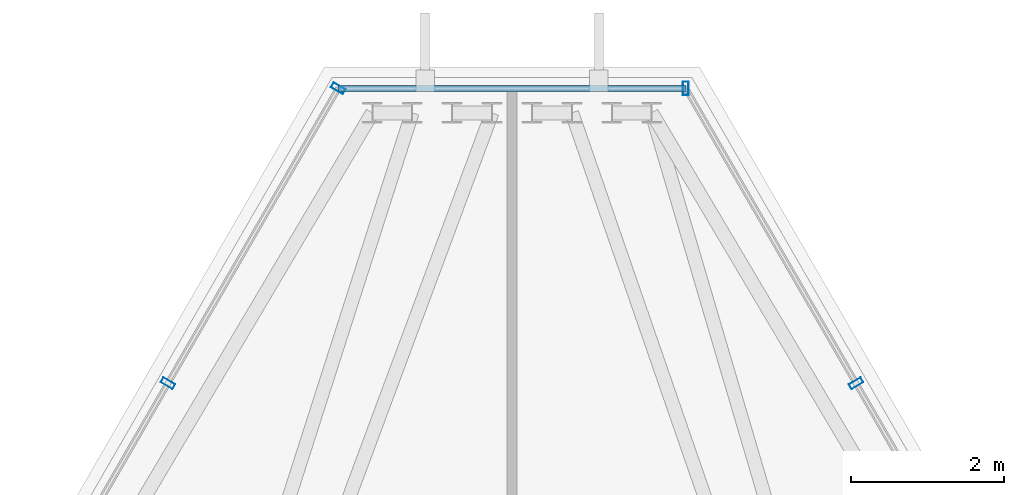
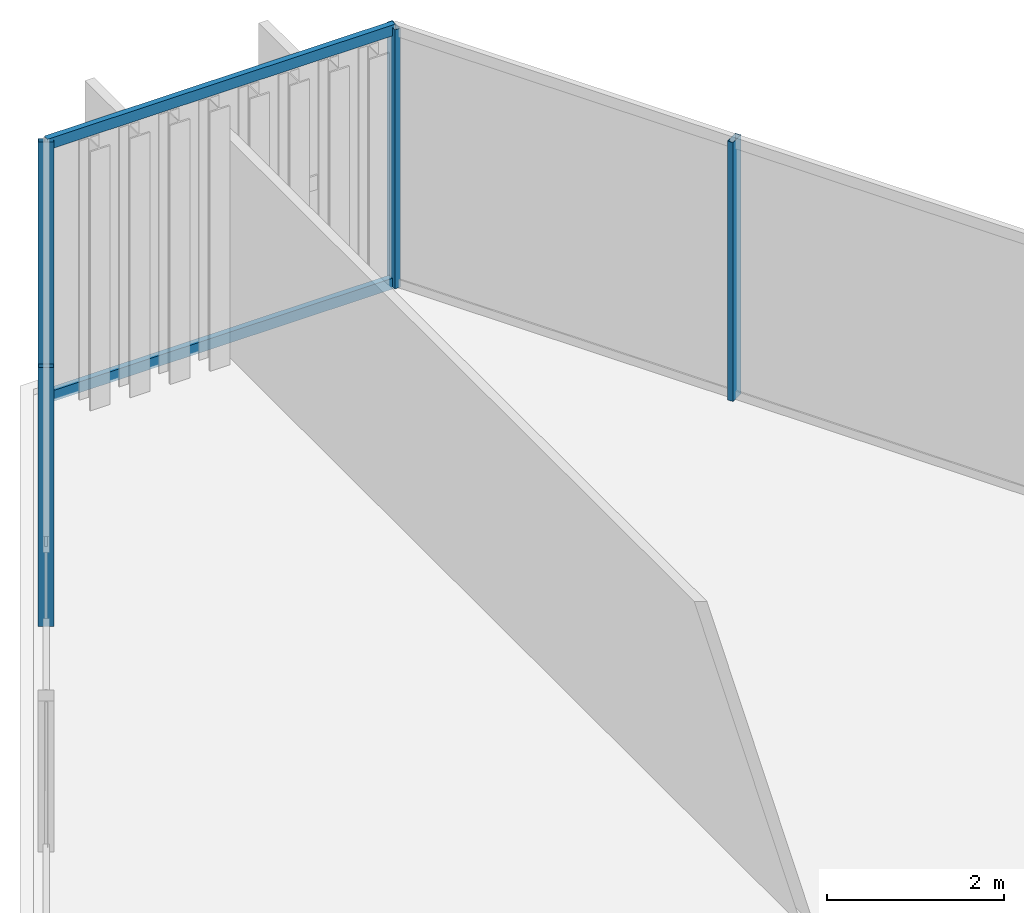
# One storey, part 25 of 32: 6 members, 3 elements without a shape of their own.
"""IFC4 building model written with IfcOpenShell, lengths in metres."""

from ifc_helpers import new_model, si_unit, direction, frame, origin, origin_2d, place, context, subcontext, project, spatial, hollow_rectangle, extrude, material, layer, layer_set, material_profile, profile_set, type_object, element, aggregate, save


model = new_model("IFC4")

# Units and contexts
model_context = context("Model", 3, precision=1e-05, world=origin(), true_north=direction((0.0, 1.0)))
body_context = subcontext(model_context, "Body", "Model", "MODEL_VIEW")
ifc_project = project(units=[si_unit("LENGTHUNIT", "METRE"), si_unit("AREAUNIT", "SQUARE_METRE"), si_unit("VOLUMEUNIT", "CUBIC_METRE"), si_unit("PLANEANGLEUNIT", "RADIAN"), si_unit("MASSUNIT", "GRAM", prefix="KILO")], contexts=[model_context])

# Site, building, storey
site_placement = place(None, origin())
site = spatial("IfcSite", under=ifc_project, at=site_placement, CompositionType="ELEMENT")
building_placement = place(site_placement, origin())
building = spatial("IfcBuilding", under=site, at=building_placement, Name="Ndaravel Arena Tower", CompositionType="ELEMENT")
storey_placement = place(building_placement, frame((0.0, 0.0, 283.300048828125)))
storey = spatial("IfcBuildingStorey", under=building, at=storey_placement, Name="L69", CompositionType="ELEMENT", Elevation=283.300048828125)

# Curtain wall, member
ifc_material_1 = material(Name="Aluminium", Category="aluminium")
ifc_layer_1 = layer(ifc_material_1, 0.179931640625)
ifc_layer_set_1 = layer_set([ifc_layer_1], Name="Aluminium")
curtain_wall_type_1 = type_object("IfcCurtainWallType", Name="CW-SYS-03", PredefinedType="NOTDEFINED", material=ifc_layer_set_1)
curtain_wall_1_placement = place(storey_placement, origin())
curtain_wall_1 = element("IfcCurtainWall", 1, at=curtain_wall_1_placement, inside=storey, type_object=curtain_wall_type_1, Name="L69 Faceted Crystal Curtain Wall CW-L69-E03", PredefinedType="NOTDEFINED")
ifc_material_2 = material(Name="Aluminium", Category="aluminium")
ifc_material_profile_1 = material_profile(ifc_material_2, hollow_rectangle(XDim=0.074951171875, YDim=0.179931640625, WallThickness=0.00390625, at=origin_2d()), Name="CW MULLION 75x180x4")
ifc_profile_set_1 = profile_set([ifc_material_profile_1], Name="Aluminium")
member_type_1 = type_object("IfcMemberType", Name="MEM-CW-MUL180", PredefinedType="MULLION", material=ifc_profile_set_1)
member_1_placement = place(storey_placement, frame((46.49853515625, 39.94189453125, 0.0), z_axis=(0.0, 0.0, 1.0), x_axis=(-0.5, 0.866025403784, 0.0)))
member_1 = element("IfcMember", 2, at=member_1_placement, type_object=member_type_1, Name="CW-L69-E03 Mullion 08", PredefinedType="MULLION", context=body_context, shape_type="SweptSolid", body=[
    extrude(hollow_rectangle(XDim=0.074951171875, YDim=0.179931640625, WallThickness=0.00390625, at=origin_2d()), origin(), (0.0, 0.0, 1.0), 3.579833984375),
])
aggregate(curtain_wall_1, [member_1])

ifc_material_3 = material(Name="Aluminium", Category="aluminium")
ifc_layer_2 = layer(ifc_material_3, 0.179931640625)
ifc_layer_set_2 = layer_set([ifc_layer_2], Name="Aluminium")
curtain_wall_type_2 = type_object("IfcCurtainWallType", Name="CW-SYS-01", PredefinedType="NOTDEFINED", material=ifc_layer_set_2)
curtain_wall_2_placement = place(storey_placement, origin())
curtain_wall_2 = element("IfcCurtainWall", 3, at=curtain_wall_2_placement, inside=storey, type_object=curtain_wall_type_2, Name="L69 Faceted Crystal Curtain Wall CW-L69-E04", PredefinedType="NOTDEFINED")
member_2_placement = place(storey_placement, frame((44.2724609375, 43.797607421875, 0.0), z_axis=(0.0, 0.0, 1.0), x_axis=(-1.0, 0.0, 0.0)))
member_2 = element("IfcMember", 4, at=member_2_placement, type_object=member_type_1, Name="CW-L69-E04 Mullion 00", PredefinedType="MULLION", context=body_context, shape_type="SweptSolid", body=[
    extrude(hollow_rectangle(XDim=0.074951171875, YDim=0.179931640625, WallThickness=0.00390625, at=origin_2d()), origin(), (0.0, 0.0, 1.0), 3.579833984375),
])

# Curtain wall, members
curtain_wall_3_placement = place(storey_placement, origin())
curtain_wall_3 = element("IfcCurtainWall", 5, at=curtain_wall_3_placement, inside=storey, type_object=curtain_wall_type_1, Name="L69 Faceted Crystal Curtain Wall CW-L69-E05", PredefinedType="NOTDEFINED")
member_3_placement = place(storey_placement, frame((39.7275390625, 43.797607421875, 0.0), z_axis=(0.0, 0.0, 1.0), x_axis=(-0.5, -0.866025403784, 0.0)))
member_3 = element("IfcMember", 6, at=member_3_placement, type_object=member_type_1, Name="CW-L69-E05 Mullion 00", PredefinedType="MULLION", context=body_context, shape_type="SweptSolid", body=[
    extrude(hollow_rectangle(XDim=0.074951171875, YDim=0.179931640625, WallThickness=0.00390625, at=origin_2d()), origin(), (0.0, 0.0, 1.0), 3.579833984375),
])
member_4_placement = place(storey_placement, frame((37.50146484375, 39.94189453125, 0.0), z_axis=(0.0, 0.0, 1.0), x_axis=(-0.5, -0.866025403784, 0.0)))
member_4 = element("IfcMember", 7, at=member_4_placement, type_object=member_type_1, Name="CW-L69-E05 Mullion 01", PredefinedType="MULLION", context=body_context, shape_type="SweptSolid", body=[
    extrude(hollow_rectangle(XDim=0.074951171875, YDim=0.179931640625, WallThickness=0.00390625, at=origin_2d()), origin(), (0.0, 0.0, 1.0), 3.579833984375),
])
aggregate(curtain_wall_3, [member_3, member_4])

# Member
ifc_material_4 = material(Name="Aluminium", Category="aluminium")
ifc_material_profile_2 = material_profile(ifc_material_4, hollow_rectangle(XDim=0.074951171875, YDim=0.14990234375, WallThickness=0.00390625, at=origin_2d()), Name="CW TRANSOM 75x150x4")
ifc_profile_set_2 = profile_set([ifc_material_profile_2], Name="Aluminium")
member_type_2 = type_object("IfcMemberType", Name="MEM-CW-TRN150", PredefinedType="USERDEFINED", material=ifc_profile_set_2)
member_5_placement = place(storey_placement, frame((44.2724609375, 43.797607421875, 0.0400390625), z_axis=(-1.0, 0.0, 0.0), x_axis=(0.0, -1.0, 0.0)))
member_5 = element("IfcMember", 8, at=member_5_placement, type_object=member_type_2, Name="CW-L69-E04 Transom 01", ObjectType="TRANSOM", PredefinedType="USERDEFINED", context=body_context, shape_type="SweptSolid", body=[
    extrude(hollow_rectangle(XDim=0.074951171875, YDim=0.14990234375, WallThickness=0.00390625, at=origin_2d()), origin(), (0.0, 0.0, 1.0), 4.544921875),
])

member_6_placement = place(storey_placement, frame((44.2724609375, 43.797607421875, 3.5400390625), z_axis=(-1.0, 0.0, 0.0), x_axis=(0.0, -1.0, 0.0)))
member_6 = element("IfcMember", 9, at=member_6_placement, type_object=member_type_2, Name="CW-L69-E04 Transom 02", ObjectType="TRANSOM", PredefinedType="USERDEFINED", context=body_context, shape_type="SweptSolid", body=[
    extrude(hollow_rectangle(XDim=0.074951171875, YDim=0.14990234375, WallThickness=0.00390625, at=origin_2d()), origin(), (0.0, 0.0, 1.0), 4.544921875),
])

aggregate(curtain_wall_2, [member_2, member_5, member_6])

save(model, "model.ifc")
